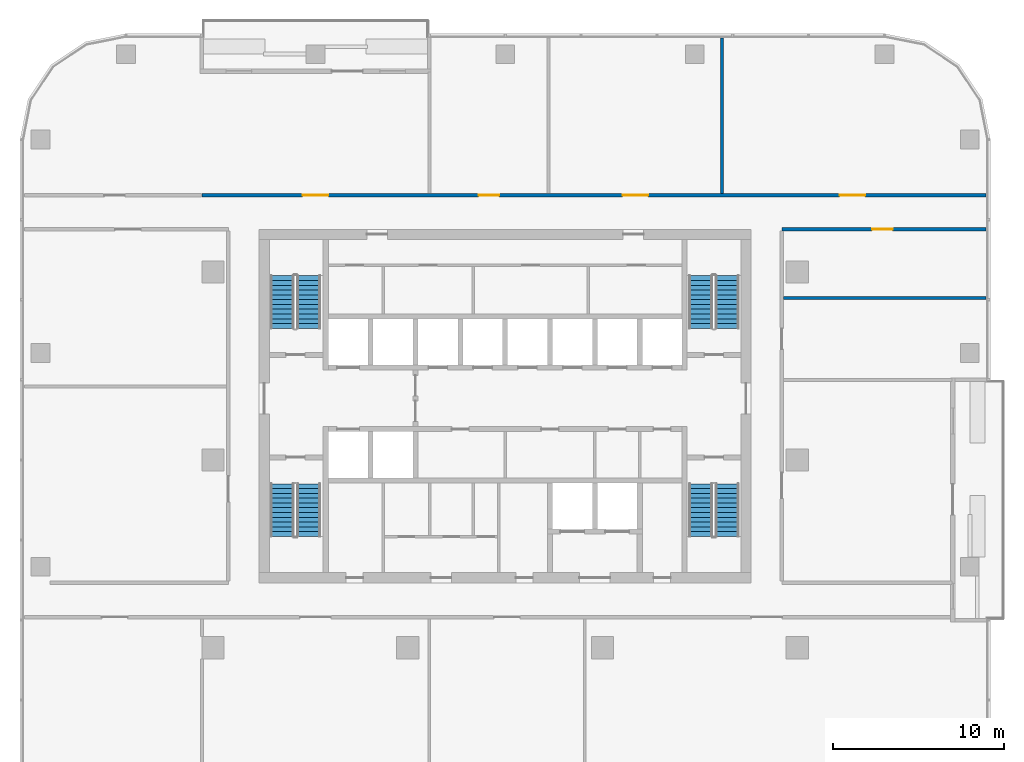
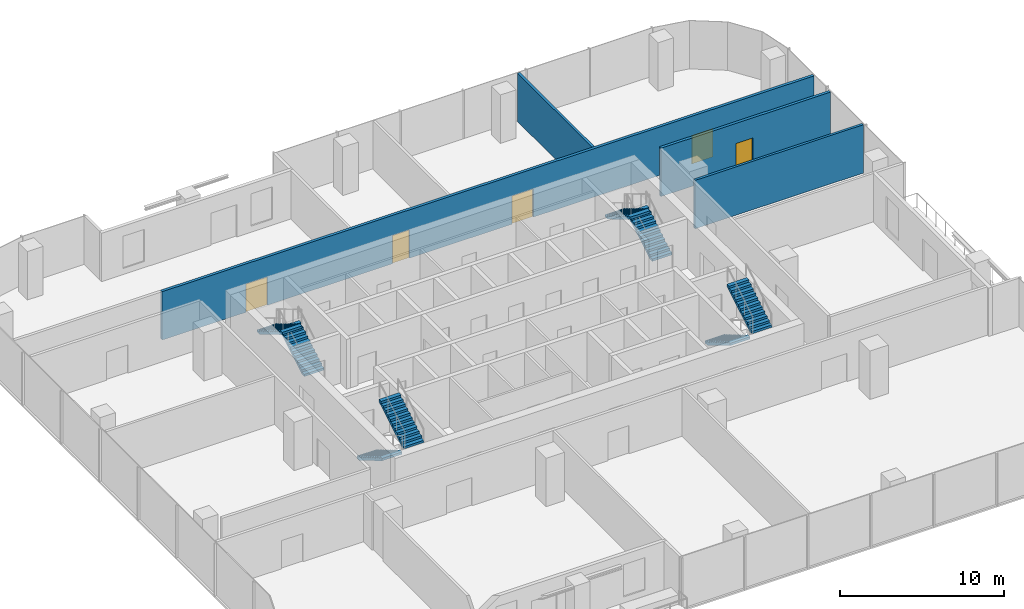
# One storey, part 10 of 14: 8 stair flights, 5 doors, 4 walls, 5 openings, 4 elements without a shape of their own.
"""IFC4 building model written with IfcOpenShell, lengths in metres."""

from ifc_helpers import new_model, si_unit, direction, frame, frame_2d, origin, place, context, subcontext, project, spatial, polyline, rectangle, outline, extrude, material, layer, layer_set, type_object, element, fill, aggregate, save


model = new_model("IFC4")

# Units and contexts
model_context = context("Model", 3, precision=1e-05, world=origin(), true_north=direction((0.0, 1.0)))
body_context = subcontext(model_context, "Body", "Model", "MODEL_VIEW")
ifc_project = project(units=[si_unit("LENGTHUNIT", "METRE"), si_unit("AREAUNIT", "SQUARE_METRE"), si_unit("VOLUMEUNIT", "CUBIC_METRE"), si_unit("PLANEANGLEUNIT", "RADIAN"), si_unit("MASSUNIT", "GRAM", prefix="KILO")], contexts=[model_context])

# Site, building, storey
site_placement = place(None, origin())
site = spatial("IfcSite", under=ifc_project, at=site_placement, CompositionType="ELEMENT")
building_placement = place(site_placement, origin())
building = spatial("IfcBuilding", under=site, at=building_placement, Name="Mopane Tessera Tower", CompositionType="ELEMENT")
storey_placement = place(building_placement, frame((0.0, 0.0, 219.0)))
storey = spatial("IfcBuildingStorey", under=building, at=storey_placement, Name="L46", CompositionType="ELEMENT", Elevation=219.0)

# Walls
ifc_material_1 = material(Name="Gypsum board on staggered steel studs, double layer each face, acoustic mineral wool infill", Category="steel")
ifc_layer_1 = layer(ifc_material_1, 0.175048828125)
ifc_layer_set_1 = layer_set([ifc_layer_1], Name="Gypsum board on staggered steel studs, double layer each face, acoustic mineral wool infill")
wall_type_1 = type_object("IfcWallType", Name="Gypsum board acoustic partition 175, rated EI 60", PredefinedType="PARTITIONING", material=ifc_layer_set_1)
wall_1_placement = place(storey_placement, frame((16.300048828125, 9.485107421875, 0.0), z_axis=(0.0, 0.0, 1.0), x_axis=(1.0, 0.0, 0.0)))
element("IfcWall", 1, at=wall_1_placement, inside=storey, type_object=wall_type_1, Name="Partition L46:005", PredefinedType="PARTITIONING", context=body_context, shape_type="SweptSolid", body=[
    extrude(rectangle(XDim=11.849853515625, YDim=0.175048828125, at=frame_2d((5.9248046875, 0.0))), origin(), (0.0, 0.0, 1.0), 3.60009765625),
])
wall_2_placement = place(storey_placement, frame((12.705078125, 15.60009765625, 0.0), z_axis=(0.0, 0.0, 1.0), x_axis=(0.0, 1.0, 0.0)))
element("IfcWall", 2, at=wall_2_placement, inside=storey, type_object=wall_type_1, Name="Partition L46:017", PredefinedType="PARTITIONING", context=body_context, shape_type="SweptSolid", body=[
    extrude(rectangle(XDim=9.099853515625, YDim=0.175048828125, at=frame_2d((4.5498046875, 0.0))), origin(), (0.0, 0.0, 1.0), 3.60009765625),
])

# Wall, opening, door
ifc_material_2 = material(Name="Gypsum board on steel studs, two layers each face, mineral wool infill", Category="steel")
ifc_layer_2 = layer(ifc_material_2, 0.199951171875)
ifc_layer_set_2 = layer_set([ifc_layer_2], Name="Gypsum board on steel studs, two layers each face, mineral wool infill")
wall_type_2 = type_object("IfcWallType", Name="Gypsum board corridor wall 200, rated EI 60", PredefinedType="PARTITIONING", material=ifc_layer_set_2)
wall_3_placement = place(storey_placement, frame((16.199951171875, 13.5, 0.0), z_axis=(0.0, 0.0, 1.0), x_axis=(1.0, 0.0, 0.0)))
wall_3 = element("IfcWall", 3, at=wall_3_placement, inside=storey, type_object=wall_type_2, Name="Partition L46:007", PredefinedType="PARTITIONING", context=body_context, shape_type="SweptSolid", body=[
    extrude(rectangle(XDim=11.949951171875, YDim=0.199951171875, at=frame_2d((5.97509765625, 0.0))), origin(), (0.0, 0.0, 1.0), 3.60009765625),
])
opening_1_placement = place(wall_3_placement, frame((5.27490234375, 0.0, 0.0)))
opening_1 = element("IfcOpeningElement", 4, at=opening_1_placement, cuts=wall_3, Name="Opening L46-03", PredefinedType="OPENING", context=body_context, shape_type="SweptSolid", body=[
    extrude(rectangle(XDim=1.199951171875, YDim=2.10009765625, at=frame_2d((0.60009765625, 1.050048828125))), frame((0.0, 0.112060546875, 0.0), z_axis=(0.0, -1.0, 0.0), x_axis=(1.0, 0.0, 0.0)), (0.0, 0.0, 1.0), 0.223876953125),
])
ifc_material_3 = material(Name="Timber veneered steel-framed fire door", Category="steel")
door_type_1 = type_object("IfcDoorType", Name="Fire door FD60 1200 x 2100", OperationType="SINGLE_SWING_LEFT", PredefinedType="DOOR", material=ifc_material_3)
door_1_placement = place(opening_1_placement, origin())
door_1 = element("IfcDoor", 5, at=door_1_placement, inside=storey, type_object=door_type_1, Name="Door L46-03", ObjectType="D15A", OperationType="SINGLE_SWING_LEFT", OverallHeight=2.10009765625, OverallWidth=1.199951171875, PredefinedType="DOOR", context=body_context, shape_type="SweptSolid", body=[
    extrude(rectangle(XDim=1.199951171875, YDim=2.10009765625, at=frame_2d((0.60009765625, 1.050048828125))), frame((0.0, 0.02490234375, 0.0), z_axis=(0.0, -1.0, 0.0), x_axis=(1.0, 0.0, 0.0)), (0.0, 0.0, 1.0), 0.050048828125),
])
fill(opening_1, door_1)

# Wall, openings, doors
wall_4_placement = place(storey_placement, frame((-17.760009765625, 15.5, 0.0), z_axis=(0.0, 0.0, 1.0), x_axis=(1.0, 0.0, 0.0)))
wall_4 = element("IfcWall", 6, at=wall_4_placement, inside=storey, type_object=wall_type_2, Name="Partition L46:009", PredefinedType="PARTITIONING", context=body_context, shape_type="SweptSolid", body=[
    extrude(rectangle(XDim=45.909912109375, YDim=0.199951171875, at=frame_2d((22.955078125, 0.0))), origin(), (0.0, 0.0, 1.0), 3.60009765625),
])
opening_2_placement = place(wall_4_placement, frame((37.33740234375, 0.0, 0.0)))
opening_2 = element("IfcOpeningElement", 7, at=opening_2_placement, cuts=wall_4, Name="Opening L46-01", PredefinedType="OPENING", context=body_context, shape_type="SweptSolid", body=[
    extrude(rectangle(XDim=1.5, YDim=2.10009765625, at=frame_2d((0.75, 1.050048828125))), frame((0.0, 0.112060546875, 0.0), z_axis=(0.0, -1.0, 0.0), x_axis=(1.0, 0.0, 0.0)), (0.0, 0.0, 1.0), 0.223876953125),
])
opening_3_placement = place(wall_4_placement, frame((24.632568359375, 0.0, 0.0)))
opening_3 = element("IfcOpeningElement", 8, at=opening_3_placement, cuts=wall_4, Name="Opening L46-02", PredefinedType="OPENING", context=body_context, shape_type="SweptSolid", body=[
    extrude(rectangle(XDim=1.5, YDim=2.10009765625, at=frame_2d((0.75, 1.050048828125))), frame((0.0, 0.112060546875, 0.0), z_axis=(0.0, -1.0, 0.0), x_axis=(1.0, 0.0, 0.0)), (0.0, 0.0, 1.0), 0.223876953125),
])
opening_4_placement = place(wall_4_placement, frame((5.909912109375, 0.0, 0.0)))
opening_4 = element("IfcOpeningElement", 9, at=opening_4_placement, cuts=wall_4, Name="Opening L46-09", PredefinedType="OPENING", context=body_context, shape_type="SweptSolid", body=[
    extrude(rectangle(XDim=1.5, YDim=2.10009765625, at=frame_2d((0.75, 1.050048828125))), frame((0.0, 0.112060546875, 0.0), z_axis=(0.0, -1.0, 0.0), x_axis=(1.0, 0.0, 0.0)), (0.0, 0.0, 1.0), 0.223876953125),
])
opening_5_placement = place(wall_4_placement, frame((16.2099609375, 0.0, 0.0)))
opening_5 = element("IfcOpeningElement", 10, at=opening_5_placement, cuts=wall_4, Name="Opening L46-13", PredefinedType="OPENING", context=body_context, shape_type="SweptSolid", body=[
    extrude(rectangle(XDim=1.199951171875, YDim=2.10009765625, at=frame_2d((0.60009765625, 1.050048828125))), frame((0.0, 0.112060546875, 0.0), z_axis=(0.0, -1.0, 0.0), x_axis=(1.0, 0.0, 0.0)), (0.0, 0.0, 1.0), 0.223876953125),
])
door_2_placement = place(opening_5_placement, origin())
door_2 = element("IfcDoor", 11, at=door_2_placement, inside=storey, type_object=door_type_1, Name="Door L46-13", ObjectType="D15A", OperationType="SINGLE_SWING_RIGHT", OverallHeight=2.10009765625, OverallWidth=1.199951171875, PredefinedType="DOOR", context=body_context, shape_type="SweptSolid", body=[
    extrude(rectangle(XDim=1.199951171875, YDim=2.10009765625, at=frame_2d((0.60009765625, 1.050048828125))), frame((0.0, 0.02490234375, 0.0), z_axis=(0.0, -1.0, 0.0), x_axis=(1.0, 0.0, 0.0)), (0.0, 0.0, 1.0), 0.050048828125),
])
fill(opening_5, door_2)
ifc_material_4 = material(Name="Timber veneered steel-framed fire door", Category="steel")
door_type_2 = type_object("IfcDoorType", Name="Fire door pair FD60 1500 x 2100", OperationType="DOUBLE_DOOR_SINGLE_SWING", PredefinedType="DOOR", material=ifc_material_4)
door_3_placement = place(opening_2_placement, origin())
door_3 = element("IfcDoor", 12, at=door_3_placement, inside=storey, type_object=door_type_2, Name="Door L46-01", ObjectType="D17A", OperationType="DOUBLE_DOOR_SINGLE_SWING", OverallHeight=2.10009765625, OverallWidth=1.5, PredefinedType="DOOR", context=body_context, shape_type="SweptSolid", body=[
    extrude(rectangle(XDim=1.5, YDim=2.10009765625, at=frame_2d((0.75, 1.050048828125))), frame((0.0, 0.02490234375, 0.0), z_axis=(0.0, -1.0, 0.0), x_axis=(1.0, 0.0, 0.0)), (0.0, 0.0, 1.0), 0.050048828125),
])
fill(opening_2, door_3)
door_4_placement = place(opening_3_placement, origin())
door_4 = element("IfcDoor", 13, at=door_4_placement, inside=storey, type_object=door_type_2, Name="Door L46-02", ObjectType="D17A", OperationType="DOUBLE_DOOR_SINGLE_SWING", OverallHeight=2.10009765625, OverallWidth=1.5, PredefinedType="DOOR", context=body_context, shape_type="SweptSolid", body=[
    extrude(rectangle(XDim=1.5, YDim=2.10009765625, at=frame_2d((0.75, 1.050048828125))), frame((0.0, 0.02490234375, 0.0), z_axis=(0.0, -1.0, 0.0), x_axis=(1.0, 0.0, 0.0)), (0.0, 0.0, 1.0), 0.050048828125),
])
fill(opening_3, door_4)
door_5_placement = place(opening_4_placement, origin())
door_5 = element("IfcDoor", 14, at=door_5_placement, inside=storey, type_object=door_type_2, Name="Door L46-09", ObjectType="D17A", OperationType="DOUBLE_DOOR_SINGLE_SWING", OverallHeight=2.10009765625, OverallWidth=1.5, PredefinedType="DOOR", context=body_context, shape_type="SweptSolid", body=[
    extrude(rectangle(XDim=1.5, YDim=2.10009765625, at=frame_2d((0.75, 1.050048828125))), frame((0.0, 0.02490234375, 0.0), z_axis=(0.0, -1.0, 0.0), x_axis=(1.0, 0.0, 0.0)), (0.0, 0.0, 1.0), 0.050048828125),
])
fill(opening_4, door_5)

# Stair, stair flights
ifc_material_5 = material(Name="Concrete C50/60", Category="concrete")
stair_type = type_object("IfcStairType", Name="Escape stair 1400 mm, riser 167 mm", PredefinedType="HALF_TURN_STAIR", material=ifc_material_5)
stair_1_placement = place(storey_placement, origin())
stair_1 = element("IfcStair", 15, at=stair_1_placement, inside=storey, type_object=stair_type, Name="L46 Escape stair south-west", PredefinedType="HALF_TURN_STAIR")
ifc_material_6 = material(Name="Concrete C50/60", Category="concrete")
stair_flight_type = type_object("IfcStairFlightType", Name="Escape stair flight 1400 mm", PredefinedType="STRAIGHT", material=ifc_material_6)
stair_flight_1_placement = place(storey_placement, frame((-13.050048828125, -1.39990234375, 0.0), z_axis=(0.0, 0.0, 1.0), x_axis=(0.0, -1.0, 0.0)))
stair_flight_1 = element("IfcStairFlight", 16, at=stair_flight_1_placement, type_object=stair_flight_type, Name="ST1 flight 1", NumberOfRisers=12, NumberOfTreads=11, PredefinedType="STRAIGHT", RiserHeight=0.166666667, TreadLength=0.28, context=body_context, shape_type="SweptSolid", body=[
    extrude(outline(polyline([(0.0, 0.0), (0.0, 0.166748046875), (0.280029296875, 0.166748046875), (0.280029296875, 0.333251953125), (0.56005859375, 0.333251953125), (0.56005859375, 0.5), (0.840087890625, 0.5), (0.840087890625, 0.666748046875), (1.1201171875, 0.666748046875), (1.1201171875, 0.833251953125), (1.39990234375, 0.833251953125), (1.39990234375, 1.0), (1.679931640625, 1.0), (1.679931640625, 1.166748046875), (1.9599609375, 1.166748046875), (1.9599609375, 1.333251953125), (2.239990234375, 1.333251953125), (2.239990234375, 1.5), (2.52001953125, 1.5), (2.52001953125, 1.666748046875), (2.800048828125, 1.666748046875), (2.800048828125, 1.833251953125), (3.080078125, 1.833251953125), (3.080078125, 2.0), (3.080078125, 1.658935546875), (0.29296875, 0.0), (0.0, 0.0)])), frame((0.0, 0.699951171875, 0.0), z_axis=(0.0, -1.0, 0.0), x_axis=(1.0, 0.0, 0.0)), (0.0, 0.0, 1.0), 1.39990234375),
])
stair_flight_2_placement = place(storey_placement, frame((-11.5, -4.47998046875, 2.0), z_axis=(0.0, 0.0, 1.0), x_axis=(0.0, 1.0, 0.0)))
stair_flight_2 = element("IfcStairFlight", 17, at=stair_flight_2_placement, type_object=stair_flight_type, Name="ST1 flight 2", NumberOfRisers=12, NumberOfTreads=11, PredefinedType="STRAIGHT", RiserHeight=0.166666667, TreadLength=0.28, context=body_context, shape_type="SweptSolid", body=[
    extrude(outline(polyline([(0.0, 0.0), (0.0, 0.166748046875), (0.280029296875, 0.166748046875), (0.280029296875, 0.333251953125), (0.56005859375, 0.333251953125), (0.56005859375, 0.5), (0.840087890625, 0.5), (0.840087890625, 0.666748046875), (1.1201171875, 0.666748046875), (1.1201171875, 0.833251953125), (1.39990234375, 0.833251953125), (1.39990234375, 1.0), (1.679931640625, 1.0), (1.679931640625, 1.166748046875), (1.9599609375, 1.166748046875), (1.9599609375, 1.333251953125), (2.239990234375, 1.333251953125), (2.239990234375, 1.5), (2.52001953125, 1.5), (2.52001953125, 1.666748046875), (2.800048828125, 1.666748046875), (2.800048828125, 1.833251953125), (3.080078125, 1.833251953125), (3.080078125, 2.0), (3.080078125, 1.658935546875), (0.29296875, 0.0), (0.0, 0.0)])), frame((0.0, 0.699951171875, 0.0), z_axis=(0.0, -1.0, 0.0), x_axis=(1.0, 0.0, 0.0)), (0.0, 0.0, 1.0), 1.39990234375),
])
aggregate(stair_1, [stair_flight_1, stair_flight_2])

stair_2_placement = place(storey_placement, origin())
stair_2 = element("IfcStair", 18, at=stair_2_placement, inside=storey, type_object=stair_type, Name="L46 Escape stair north-west", PredefinedType="HALF_TURN_STAIR")
stair_flight_3_placement = place(storey_placement, frame((-11.5, 7.699951171875, 0.0), z_axis=(0.0, 0.0, 1.0), x_axis=(0.0, 1.0, 0.0)))
stair_flight_3 = element("IfcStairFlight", 19, at=stair_flight_3_placement, type_object=stair_flight_type, Name="ST2 flight 1", NumberOfRisers=12, NumberOfTreads=11, PredefinedType="STRAIGHT", RiserHeight=0.166666667, TreadLength=0.28, context=body_context, shape_type="SweptSolid", body=[
    extrude(outline(polyline([(0.0, 0.0), (0.0, 0.166748046875), (0.280029296875, 0.166748046875), (0.280029296875, 0.333251953125), (0.56005859375, 0.333251953125), (0.56005859375, 0.5), (0.840087890625, 0.5), (0.840087890625, 0.666748046875), (1.1201171875, 0.666748046875), (1.1201171875, 0.833251953125), (1.39990234375, 0.833251953125), (1.39990234375, 1.0), (1.679931640625, 1.0), (1.679931640625, 1.166748046875), (1.9599609375, 1.166748046875), (1.9599609375, 1.333251953125), (2.239990234375, 1.333251953125), (2.239990234375, 1.5), (2.52001953125, 1.5), (2.52001953125, 1.666748046875), (2.800048828125, 1.666748046875), (2.800048828125, 1.833251953125), (3.080078125, 1.833251953125), (3.080078125, 2.0), (3.080078125, 1.658935546875), (0.29296875, 0.0), (0.0, 0.0)])), frame((0.0, 0.699951171875, 0.0), z_axis=(0.0, -1.0, 0.0), x_axis=(1.0, 0.0, 0.0)), (0.0, 0.0, 1.0), 1.39990234375),
])
stair_flight_4_placement = place(storey_placement, frame((-13.050048828125, 10.780029296875, 2.0), z_axis=(0.0, 0.0, 1.0), x_axis=(0.0, -1.0, 0.0)))
stair_flight_4 = element("IfcStairFlight", 20, at=stair_flight_4_placement, type_object=stair_flight_type, Name="ST2 flight 2", NumberOfRisers=12, NumberOfTreads=11, PredefinedType="STRAIGHT", RiserHeight=0.166666667, TreadLength=0.28, context=body_context, shape_type="SweptSolid", body=[
    extrude(outline(polyline([(0.0, 0.0), (0.0, 0.166748046875), (0.280029296875, 0.166748046875), (0.280029296875, 0.333251953125), (0.56005859375, 0.333251953125), (0.56005859375, 0.5), (0.840087890625, 0.5), (0.840087890625, 0.666748046875), (1.1201171875, 0.666748046875), (1.1201171875, 0.833251953125), (1.39990234375, 0.833251953125), (1.39990234375, 1.0), (1.679931640625, 1.0), (1.679931640625, 1.166748046875), (1.9599609375, 1.166748046875), (1.9599609375, 1.333251953125), (2.239990234375, 1.333251953125), (2.239990234375, 1.5), (2.52001953125, 1.5), (2.52001953125, 1.666748046875), (2.800048828125, 1.666748046875), (2.800048828125, 1.833251953125), (3.080078125, 1.833251953125), (3.080078125, 2.0), (3.080078125, 1.658935546875), (0.29296875, 0.0), (0.0, 0.0)])), frame((0.0, 0.699951171875, 0.0), z_axis=(0.0, -1.0, 0.0), x_axis=(1.0, 0.0, 0.0)), (0.0, 0.0, 1.0), 1.39990234375),
])
aggregate(stair_2, [stair_flight_3, stair_flight_4])

stair_3_placement = place(storey_placement, origin())
stair_3 = element("IfcStair", 21, at=stair_3_placement, inside=storey, type_object=stair_type, Name="L46 Escape stair south-east", PredefinedType="HALF_TURN_STAIR")
stair_flight_5_placement = place(storey_placement, frame((11.449951171875, -1.39990234375, 0.0), z_axis=(0.0, 0.0, 1.0), x_axis=(0.0, -1.0, 0.0)))
stair_flight_5 = element("IfcStairFlight", 22, at=stair_flight_5_placement, type_object=stair_flight_type, Name="ST3 flight 1", NumberOfRisers=12, NumberOfTreads=11, PredefinedType="STRAIGHT", RiserHeight=0.166666667, TreadLength=0.28, context=body_context, shape_type="SweptSolid", body=[
    extrude(outline(polyline([(0.0, 0.0), (0.0, 0.166748046875), (0.280029296875, 0.166748046875), (0.280029296875, 0.333251953125), (0.56005859375, 0.333251953125), (0.56005859375, 0.5), (0.840087890625, 0.5), (0.840087890625, 0.666748046875), (1.1201171875, 0.666748046875), (1.1201171875, 0.833251953125), (1.39990234375, 0.833251953125), (1.39990234375, 1.0), (1.679931640625, 1.0), (1.679931640625, 1.166748046875), (1.9599609375, 1.166748046875), (1.9599609375, 1.333251953125), (2.239990234375, 1.333251953125), (2.239990234375, 1.5), (2.52001953125, 1.5), (2.52001953125, 1.666748046875), (2.800048828125, 1.666748046875), (2.800048828125, 1.833251953125), (3.080078125, 1.833251953125), (3.080078125, 2.0), (3.080078125, 1.658935546875), (0.29296875, 0.0), (0.0, 0.0)])), frame((0.0, 0.699951171875, 0.0), z_axis=(0.0, -1.0, 0.0), x_axis=(1.0, 0.0, 0.0)), (0.0, 0.0, 1.0), 1.39990234375),
])
stair_flight_6_placement = place(storey_placement, frame((13.0, -4.47998046875, 2.0), z_axis=(0.0, 0.0, 1.0), x_axis=(0.0, 1.0, 0.0)))
stair_flight_6 = element("IfcStairFlight", 23, at=stair_flight_6_placement, type_object=stair_flight_type, Name="ST3 flight 2", NumberOfRisers=12, NumberOfTreads=11, PredefinedType="STRAIGHT", RiserHeight=0.166666667, TreadLength=0.28, context=body_context, shape_type="SweptSolid", body=[
    extrude(outline(polyline([(0.0, 0.0), (0.0, 0.166748046875), (0.280029296875, 0.166748046875), (0.280029296875, 0.333251953125), (0.56005859375, 0.333251953125), (0.56005859375, 0.5), (0.840087890625, 0.5), (0.840087890625, 0.666748046875), (1.1201171875, 0.666748046875), (1.1201171875, 0.833251953125), (1.39990234375, 0.833251953125), (1.39990234375, 1.0), (1.679931640625, 1.0), (1.679931640625, 1.166748046875), (1.9599609375, 1.166748046875), (1.9599609375, 1.333251953125), (2.239990234375, 1.333251953125), (2.239990234375, 1.5), (2.52001953125, 1.5), (2.52001953125, 1.666748046875), (2.800048828125, 1.666748046875), (2.800048828125, 1.833251953125), (3.080078125, 1.833251953125), (3.080078125, 2.0), (3.080078125, 1.658935546875), (0.29296875, 0.0), (0.0, 0.0)])), frame((0.0, 0.699951171875, 0.0), z_axis=(0.0, -1.0, 0.0), x_axis=(1.0, 0.0, 0.0)), (0.0, 0.0, 1.0), 1.39990234375),
])
aggregate(stair_3, [stair_flight_5, stair_flight_6])

stair_4_placement = place(storey_placement, origin())
stair_4 = element("IfcStair", 24, at=stair_4_placement, inside=storey, type_object=stair_type, Name="L46 Escape stair north-east", PredefinedType="HALF_TURN_STAIR")
stair_flight_7_placement = place(storey_placement, frame((13.0, 7.699951171875, 0.0), z_axis=(0.0, 0.0, 1.0), x_axis=(0.0, 1.0, 0.0)))
stair_flight_7 = element("IfcStairFlight", 25, at=stair_flight_7_placement, type_object=stair_flight_type, Name="ST4 flight 1", NumberOfRisers=12, NumberOfTreads=11, PredefinedType="STRAIGHT", RiserHeight=0.166666667, TreadLength=0.28, context=body_context, shape_type="SweptSolid", body=[
    extrude(outline(polyline([(0.0, 0.0), (0.0, 0.166748046875), (0.280029296875, 0.166748046875), (0.280029296875, 0.333251953125), (0.56005859375, 0.333251953125), (0.56005859375, 0.5), (0.840087890625, 0.5), (0.840087890625, 0.666748046875), (1.1201171875, 0.666748046875), (1.1201171875, 0.833251953125), (1.39990234375, 0.833251953125), (1.39990234375, 1.0), (1.679931640625, 1.0), (1.679931640625, 1.166748046875), (1.9599609375, 1.166748046875), (1.9599609375, 1.333251953125), (2.239990234375, 1.333251953125), (2.239990234375, 1.5), (2.52001953125, 1.5), (2.52001953125, 1.666748046875), (2.800048828125, 1.666748046875), (2.800048828125, 1.833251953125), (3.080078125, 1.833251953125), (3.080078125, 2.0), (3.080078125, 1.658935546875), (0.29296875, 0.0), (0.0, 0.0)])), frame((0.0, 0.699951171875, 0.0), z_axis=(0.0, -1.0, 0.0), x_axis=(1.0, 0.0, 0.0)), (0.0, 0.0, 1.0), 1.39990234375),
])
stair_flight_8_placement = place(storey_placement, frame((11.449951171875, 10.780029296875, 2.0), z_axis=(0.0, 0.0, 1.0), x_axis=(0.0, -1.0, 0.0)))
stair_flight_8 = element("IfcStairFlight", 26, at=stair_flight_8_placement, type_object=stair_flight_type, Name="ST4 flight 2", NumberOfRisers=12, NumberOfTreads=11, PredefinedType="STRAIGHT", RiserHeight=0.166666667, TreadLength=0.28, context=body_context, shape_type="SweptSolid", body=[
    extrude(outline(polyline([(0.0, 0.0), (0.0, 0.166748046875), (0.280029296875, 0.166748046875), (0.280029296875, 0.333251953125), (0.56005859375, 0.333251953125), (0.56005859375, 0.5), (0.840087890625, 0.5), (0.840087890625, 0.666748046875), (1.1201171875, 0.666748046875), (1.1201171875, 0.833251953125), (1.39990234375, 0.833251953125), (1.39990234375, 1.0), (1.679931640625, 1.0), (1.679931640625, 1.166748046875), (1.9599609375, 1.166748046875), (1.9599609375, 1.333251953125), (2.239990234375, 1.333251953125), (2.239990234375, 1.5), (2.52001953125, 1.5), (2.52001953125, 1.666748046875), (2.800048828125, 1.666748046875), (2.800048828125, 1.833251953125), (3.080078125, 1.833251953125), (3.080078125, 2.0), (3.080078125, 1.658935546875), (0.29296875, 0.0), (0.0, 0.0)])), frame((0.0, 0.699951171875, 0.0), z_axis=(0.0, -1.0, 0.0), x_axis=(1.0, 0.0, 0.0)), (0.0, 0.0, 1.0), 1.39990234375),
])
aggregate(stair_4, [stair_flight_7, stair_flight_8])

save(model, "model.ifc")
